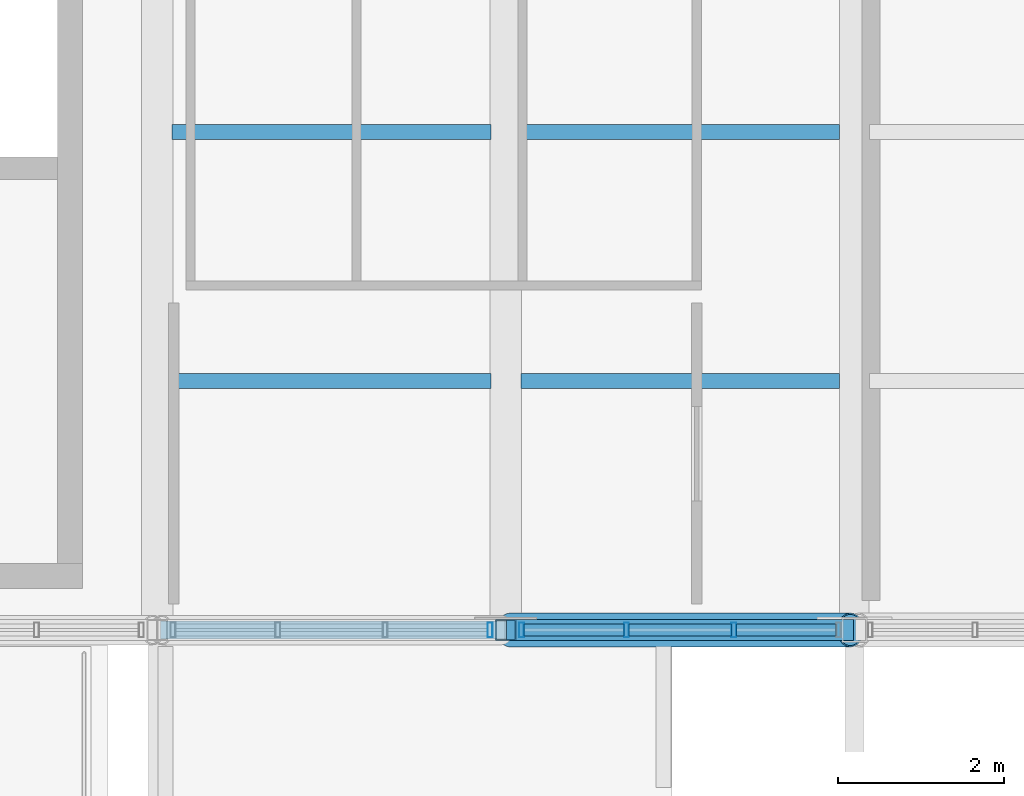
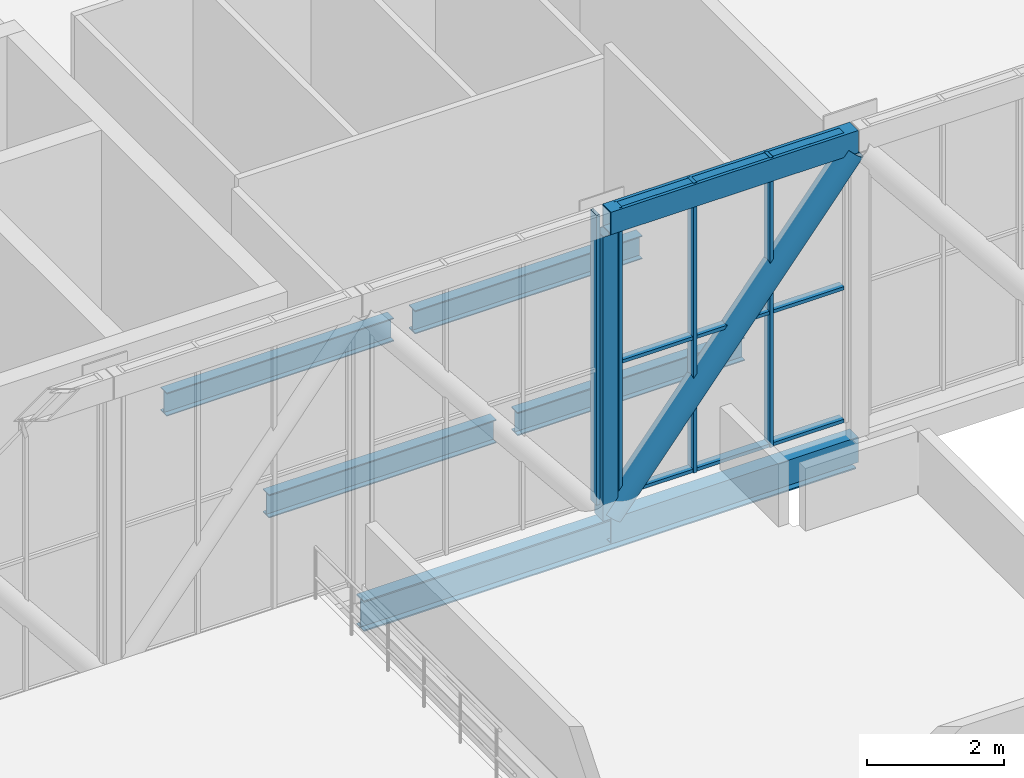
# One storey, part 30 of 58: 17 members, 5 beams, 2 elements without a shape of their own.
"""IFC4 building model written with IfcOpenShell, lengths in metres."""

from ifc_helpers import new_model, si_unit, direction, frame, origin, origin_2d, place, context, subcontext, project, spatial, hollow_rectangle, hollow_circle, i_section, extrude, material, material_profile, profile_set, type_object, element, aggregate, save


model = new_model("IFC4")

# Units and contexts
model_context = context("Model", 3, precision=1e-05, world=origin(), true_north=direction((0.0, 1.0)))
body_context = subcontext(model_context, "Body", "Model", "MODEL_VIEW")
ifc_project = project(units=[si_unit("LENGTHUNIT", "METRE"), si_unit("AREAUNIT", "SQUARE_METRE"), si_unit("VOLUMEUNIT", "CUBIC_METRE"), si_unit("PLANEANGLEUNIT", "RADIAN"), si_unit("MASSUNIT", "GRAM", prefix="KILO")], contexts=[model_context])

# Site, building, storey
site_placement = place(None, origin())
site = spatial("IfcSite", under=ifc_project, at=site_placement, CompositionType="ELEMENT")
building_placement = place(site_placement, origin())
building = spatial("IfcBuilding", under=site, at=building_placement, Name="Khurvash Pelagic Aquarium", CompositionType="ELEMENT")
storey_placement = place(building_placement, frame((0.0, 0.0, 24.60009765625)))
storey = spatial("IfcBuildingStorey", under=building, at=storey_placement, Name="L05", CompositionType="ELEMENT", Elevation=24.60009765625)

# Beam
ifc_material_1 = material(Name="Steel ASTM A992 Grade 50", Category="steel")
ifc_material_profile_1 = material_profile(ifc_material_1, i_section(OverallWidth=0.214111328125, OverallDepth=0.549072265625, WebThickness=0.0146484375, FlangeThickness=0.023681640625, at=origin_2d()), Name="W21X93")
ifc_profile_set_1 = profile_set([ifc_material_profile_1], Name="Steel ASTM A992 Grade 50")
beam_type_1 = type_object("IfcBeamType", Name="BM-11", PredefinedType="BEAM", material=ifc_profile_set_1)
beam_placement = place(storey_placement, frame((100.840087890625, 11.64990234375, -0.594482421875), z_axis=(1.0, 0.0, 0.0), x_axis=(0.0, 1.0, 0.0)))
element("IfcBeam", 1, at=beam_placement, inside=storey, type_object=beam_type_1, Name="L05 Roof Girder BM-11 01259", PredefinedType="BEAM", context=body_context, shape_type="SweptSolid", body=[
    extrude(i_section(OverallWidth=0.214111328125, OverallDepth=0.549072265625, WebThickness=0.0146484375, FlangeThickness=0.023681640625, at=origin_2d()), origin(), (0.0, 0.0, 1.0), 8.31982421875),
])

# Curtain wall, member
ifc_material_2 = material(Name="Anodised aluminium and low-E laminated glass", Category="aluminium")
curtain_wall_type = type_object("IfcCurtainWallType", Name="CW-01", PredefinedType="USERDEFINED", material=ifc_material_2)
curtain_wall_1_placement = place(storey_placement, origin())
curtain_wall_1 = element("IfcCurtainWall", 2, at=curtain_wall_1_placement, inside=storey, type_object=curtain_wall_type, Name="L05 South Sky-Bar Unitised Curtain Wall CW-01 P22", ObjectType="UNITISED CURTAIN WALL", PredefinedType="USERDEFINED")
ifc_material_3 = material(Name="Extruded aluminium AW-6063-T6", Category="aluminium")
ifc_material_profile_2 = material_profile(ifc_material_3, hollow_rectangle(XDim=0.06005859375, YDim=0.179931640625, WallThickness=0.00390625, at=origin_2d()), Name="CWM60X180X4")
ifc_profile_set_2 = profile_set([ifc_material_profile_2], Name="Extruded aluminium AW-6063-T6")
member_type_1 = type_object("IfcMemberType", Name="CM-01", PredefinedType="MULLION", material=ifc_profile_set_2)
member_1_placement = place(storey_placement, frame((104.81005859375, 11.64990234375, 0.0), z_axis=(0.0, 0.0, 1.0), x_axis=(1.0, 0.0, 0.0)))
member_1 = element("IfcMember", 3, at=member_1_placement, type_object=member_type_1, Name="CW-01 mullion 4", PredefinedType="MULLION", context=body_context, shape_type="SweptSolid", body=[
    extrude(hollow_rectangle(XDim=0.06005859375, YDim=0.179931640625, WallThickness=0.00390625, at=origin_2d()), origin(), (0.0, 0.0, 1.0), 5.179931640625),
])
aggregate(curtain_wall_1, [member_1])

# Curtain wall, members
curtain_wall_2_placement = place(storey_placement, origin())
curtain_wall_2 = element("IfcCurtainWall", 4, at=curtain_wall_2_placement, inside=storey, type_object=curtain_wall_type, Name="L05 South Sky-Bar Unitised Curtain Wall CW-01 P23", ObjectType="UNITISED CURTAIN WALL", PredefinedType="USERDEFINED")
member_2_placement = place(storey_placement, frame((105.18994140625, 11.64990234375, 0.0), z_axis=(0.0, 0.0, 1.0), x_axis=(1.0, 0.0, 0.0)))
member_2 = element("IfcMember", 5, at=member_2_placement, type_object=member_type_1, Name="CW-01 mullion 1", PredefinedType="MULLION", context=body_context, shape_type="SweptSolid", body=[
    extrude(hollow_rectangle(XDim=0.06005859375, YDim=0.179931640625, WallThickness=0.00390625, at=origin_2d()), origin(), (0.0, 0.0, 1.0), 5.179931640625),
])
member_3_placement = place(storey_placement, frame((106.453369140625, 11.64990234375, 0.0), z_axis=(0.0, 0.0, 1.0), x_axis=(1.0, 0.0, 0.0)))
member_3 = element("IfcMember", 6, at=member_3_placement, type_object=member_type_1, Name="CW-01 mullion 2", PredefinedType="MULLION", context=body_context, shape_type="SweptSolid", body=[
    extrude(hollow_rectangle(XDim=0.06005859375, YDim=0.179931640625, WallThickness=0.00390625, at=origin_2d()), origin(), (0.0, 0.0, 1.0), 5.179931640625),
])
member_4_placement = place(storey_placement, frame((107.74658203125, 11.64990234375, 0.0), z_axis=(0.0, 0.0, 1.0), x_axis=(1.0, 0.0, 0.0)))
member_4 = element("IfcMember", 7, at=member_4_placement, type_object=member_type_1, Name="CW-01 mullion 3", PredefinedType="MULLION", context=body_context, shape_type="SweptSolid", body=[
    extrude(hollow_rectangle(XDim=0.06005859375, YDim=0.179931640625, WallThickness=0.00390625, at=origin_2d()), origin(), (0.0, 0.0, 1.0), 5.179931640625),
])
ifc_material_profile_3 = material_profile(ifc_material_3, hollow_rectangle(XDim=0.139892578125, YDim=0.06005859375, WallThickness=0.00390625, at=origin_2d()), Name="CWT140X60X4")
ifc_profile_set_3 = profile_set([ifc_material_profile_3], Name="Extruded aluminium AW-6063-T6")
member_type_2 = type_object("IfcMemberType", Name="CT-01", PredefinedType="USERDEFINED", material=ifc_profile_set_3)
member_5_placement = place(storey_placement, frame((105.219970703125, 11.64990234375, 0.02978515625), z_axis=(1.0, 0.0, 0.0), x_axis=(0.0, 1.0, 0.0)))
member_5 = element("IfcMember", 8, at=member_5_placement, type_object=member_type_2, Name="CW-01 transom 1.1", ObjectType="TRANSOM", PredefinedType="USERDEFINED", context=body_context, shape_type="SweptSolid", body=[
    extrude(hollow_rectangle(XDim=0.139892578125, YDim=0.06005859375, WallThickness=0.00390625, at=origin_2d()), origin(), (0.0, 0.0, 1.0), 1.203369140625),
])
member_6_placement = place(storey_placement, frame((105.219970703125, 11.64990234375, 2.39990234375), z_axis=(1.0, 0.0, 0.0), x_axis=(0.0, 1.0, 0.0)))
member_6 = element("IfcMember", 9, at=member_6_placement, type_object=member_type_2, Name="CW-01 transom 1.2", ObjectType="TRANSOM", PredefinedType="USERDEFINED", context=body_context, shape_type="SweptSolid", body=[
    extrude(hollow_rectangle(XDim=0.139892578125, YDim=0.06005859375, WallThickness=0.00390625, at=origin_2d()), origin(), (0.0, 0.0, 1.0), 1.203369140625),
])
member_7_placement = place(storey_placement, frame((105.219970703125, 11.64990234375, 5.14990234375), z_axis=(1.0, 0.0, 0.0), x_axis=(0.0, 1.0, 0.0)))
member_7 = element("IfcMember", 10, at=member_7_placement, type_object=member_type_2, Name="CW-01 transom 1.3", ObjectType="TRANSOM", PredefinedType="USERDEFINED", context=body_context, shape_type="SweptSolid", body=[
    extrude(hollow_rectangle(XDim=0.139892578125, YDim=0.06005859375, WallThickness=0.00390625, at=origin_2d()), origin(), (0.0, 0.0, 1.0), 1.203369140625),
])
member_8_placement = place(storey_placement, frame((106.4833984375, 11.64990234375, 0.02978515625), z_axis=(1.0, 0.0, 0.0), x_axis=(0.0, 1.0, 0.0)))
member_8 = element("IfcMember", 11, at=member_8_placement, type_object=member_type_2, Name="CW-01 transom 2.1", ObjectType="TRANSOM", PredefinedType="USERDEFINED", context=body_context, shape_type="SweptSolid", body=[
    extrude(hollow_rectangle(XDim=0.139892578125, YDim=0.06005859375, WallThickness=0.00390625, at=origin_2d()), origin(), (0.0, 0.0, 1.0), 1.233154296875),
])
member_9_placement = place(storey_placement, frame((106.4833984375, 11.64990234375, 2.39990234375), z_axis=(1.0, 0.0, 0.0), x_axis=(0.0, 1.0, 0.0)))
member_9 = element("IfcMember", 12, at=member_9_placement, type_object=member_type_2, Name="CW-01 transom 2.2", ObjectType="TRANSOM", PredefinedType="USERDEFINED", context=body_context, shape_type="SweptSolid", body=[
    extrude(hollow_rectangle(XDim=0.139892578125, YDim=0.06005859375, WallThickness=0.00390625, at=origin_2d()), origin(), (0.0, 0.0, 1.0), 1.233154296875),
])
member_10_placement = place(storey_placement, frame((106.4833984375, 11.64990234375, 5.14990234375), z_axis=(1.0, 0.0, 0.0), x_axis=(0.0, 1.0, 0.0)))
member_10 = element("IfcMember", 13, at=member_10_placement, type_object=member_type_2, Name="CW-01 transom 2.3", ObjectType="TRANSOM", PredefinedType="USERDEFINED", context=body_context, shape_type="SweptSolid", body=[
    extrude(hollow_rectangle(XDim=0.139892578125, YDim=0.06005859375, WallThickness=0.00390625, at=origin_2d()), origin(), (0.0, 0.0, 1.0), 1.233154296875),
])
member_11_placement = place(storey_placement, frame((107.776611328125, 11.64990234375, 0.02978515625), z_axis=(1.0, 0.0, 0.0), x_axis=(0.0, 1.0, 0.0)))
member_11 = element("IfcMember", 14, at=member_11_placement, type_object=member_type_2, Name="CW-01 transom 3.1", ObjectType="TRANSOM", PredefinedType="USERDEFINED", context=body_context, shape_type="SweptSolid", body=[
    extrude(hollow_rectangle(XDim=0.139892578125, YDim=0.06005859375, WallThickness=0.00390625, at=origin_2d()), origin(), (0.0, 0.0, 1.0), 1.203369140625),
])
member_12_placement = place(storey_placement, frame((107.776611328125, 11.64990234375, 2.39990234375), z_axis=(1.0, 0.0, 0.0), x_axis=(0.0, 1.0, 0.0)))
member_12 = element("IfcMember", 15, at=member_12_placement, type_object=member_type_2, Name="CW-01 transom 3.2", ObjectType="TRANSOM", PredefinedType="USERDEFINED", context=body_context, shape_type="SweptSolid", body=[
    extrude(hollow_rectangle(XDim=0.139892578125, YDim=0.06005859375, WallThickness=0.00390625, at=origin_2d()), origin(), (0.0, 0.0, 1.0), 1.203369140625),
])
member_13_placement = place(storey_placement, frame((107.776611328125, 11.64990234375, 5.14990234375), z_axis=(1.0, 0.0, 0.0), x_axis=(0.0, 1.0, 0.0)))
member_13 = element("IfcMember", 16, at=member_13_placement, type_object=member_type_2, Name="CW-01 transom 3.3", ObjectType="TRANSOM", PredefinedType="USERDEFINED", context=body_context, shape_type="SweptSolid", body=[
    extrude(hollow_rectangle(XDim=0.139892578125, YDim=0.06005859375, WallThickness=0.00390625, at=origin_2d()), origin(), (0.0, 0.0, 1.0), 1.203369140625),
])
aggregate(curtain_wall_2, [member_2, member_3, member_4, member_5, member_6, member_7, member_8, member_9, member_10, member_11, member_12, member_13])

# Beams
ifc_material_profile_4 = material_profile(ifc_material_1, i_section(OverallWidth=0.180908203125, OverallDepth=0.4169921875, WebThickness=0.010986328125, FlangeThickness=0.018310546875, at=origin_2d()), Name="W16X57")
ifc_profile_set_4 = profile_set([ifc_material_profile_4], Name="Steel ASTM A992 Grade 50")
beam_type_2 = type_object("IfcBeamType", Name="JS-03", PredefinedType="JOIST", material=ifc_profile_set_4)
for number, where, z_axis, x_axis, name in (
    (17, (100.97998046875, 14.64990234375, -0.508544921875), (1.0, 0.0, 0.0), (0.0, 1.0, 0.0), "L05 Sky-Bar Floor Joist JS-03 P22"),
    (18, (100.97998046875, 17.64990234375, -0.508544921875), (1.0, 0.0, 0.0), (0.0, 1.0, 0.0), "L05 Sky-Bar Floor Joist JS-03 P22"),
    (19, (105.179931640625, 14.64990234375, -0.508544921875), (1.0, 0.0, 0.0), (0.0, 1.0, 0.0), "L05 Sky-Bar Floor Joist JS-03 P23"),
    (20, (105.179931640625, 17.64990234375, -0.508544921875), (1.0, 0.0, 0.0), (0.0, 1.0, 0.0), "L05 Sky-Bar Floor Joist JS-03 P23"),
):
    element("IfcBeam", number, at=place(storey_placement, frame(where, z_axis=z_axis, x_axis=x_axis)), inside=storey, type_object=beam_type_2, Name=name, PredefinedType="JOIST", context=body_context, shape_type="SweptSolid", body=[
        extrude(i_section(OverallWidth=0.180908203125, OverallDepth=0.4169921875, WebThickness=0.010986328125, FlangeThickness=0.018310546875, at=origin_2d()), origin(), (0.0, 0.0, 1.0), 3.840087890625),
    ])

# Members
ifc_material_4 = material(Name="Steel S355J2", Category="steel")
ifc_material_profile_5 = material_profile(ifc_material_4, hollow_rectangle(XDim=0.25, YDim=0.449951171875, WallThickness=0.02001953125, at=origin_2d()), Name="RHS450X250X20")
ifc_profile_set_5 = profile_set([ifc_material_profile_5], Name="Steel S355J2")
member_type_3 = type_object("IfcMemberType", Name="TC-01", PredefinedType="CHORD", material=ifc_profile_set_5)
member_14_placement = place(storey_placement, frame((105.010009765625, 11.64990234375, -0.525146484375), z_axis=(1.0, 0.0, 0.0), x_axis=(0.0, 1.0, 0.0)))
element("IfcMember", 21, at=member_14_placement, inside=storey, type_object=member_type_3, Name="L05 South Sky-Bar Warren Truss Bottom Chord TC-01 P23", PredefinedType="CHORD", context=body_context, shape_type="SweptSolid", body=[
    extrude(hollow_rectangle(XDim=0.25, YDim=0.449951171875, WallThickness=0.02001953125, at=origin_2d()), origin(), (0.0, 0.0, 1.0), 4.179931640625),
])
ifc_material_profile_6 = material_profile(ifc_material_4, hollow_rectangle(XDim=0.25, YDim=0.39990234375, WallThickness=0.01611328125, at=origin_2d()), Name="RHS400X250X16")
ifc_profile_set_6 = profile_set([ifc_material_profile_6], Name="Steel S355J2")
member_type_4 = type_object("IfcMemberType", Name="TC-02", PredefinedType="CHORD", material=ifc_profile_set_6)
member_15_placement = place(storey_placement, frame((105.010009765625, 11.64990234375, 4.97998046875), z_axis=(1.0, 0.0, 0.0), x_axis=(0.0, 1.0, 0.0)))
element("IfcMember", 22, at=member_15_placement, inside=storey, type_object=member_type_4, Name="L05 South Sky-Bar Warren Truss Top Chord TC-02 P23", PredefinedType="CHORD", context=body_context, shape_type="SweptSolid", body=[
    extrude(hollow_rectangle(XDim=0.25, YDim=0.39990234375, WallThickness=0.01611328125, at=origin_2d()), origin(), (0.0, 0.0, 1.0), 4.179931640625),
])
ifc_material_profile_7 = material_profile(ifc_material_4, hollow_circle(Radius=0.203125, WallThickness=0.01611328125, at=origin_2d()), Name="CHS406X16")
ifc_profile_set_7 = profile_set([ifc_material_profile_7], Name="Steel S355J2")
member_type_5 = type_object("IfcMemberType", Name="TD-01", PredefinedType="BRACE", material=ifc_profile_set_7)
member_16_placement = place(storey_placement, frame((105.050048828125, 11.64990234375, -0.300048828125), z_axis=(0.628050658275, 0.0, 0.778172455591), x_axis=(0.0, 1.0, 0.0)))
element("IfcMember", 23, at=member_16_placement, inside=storey, type_object=member_type_5, Name="L05 South Sky-Bar Warren Truss Diagonal TD-01 P23", PredefinedType="BRACE", context=body_context, shape_type="SweptSolid", body=[
    extrude(hollow_circle(Radius=0.203125, WallThickness=0.01611328125, at=origin_2d()), origin(), (0.0, 0.0, 1.0), 6.52783203125),
])
ifc_material_profile_8 = material_profile(ifc_material_4, hollow_rectangle(XDim=0.25, YDim=0.25, WallThickness=0.012451171875, at=origin_2d()), Name="SHS250X250X12")
ifc_profile_set_8 = profile_set([ifc_material_profile_8], Name="Steel S355J2")
member_type_6 = type_object("IfcMemberType", Name="TV-02", PredefinedType="POST", material=ifc_profile_set_8)
member_17_placement = place(storey_placement, frame((105.0, 11.64990234375, -0.300048828125), z_axis=(0.0, 0.0, 1.0), x_axis=(1.0, 0.0, 0.0)))
element("IfcMember", 24, at=member_17_placement, inside=storey, type_object=member_type_6, Name="L05 South Sky-Bar Truss Post TV-02 N23", PredefinedType="POST", context=body_context, shape_type="SweptSolid", body=[
    extrude(hollow_rectangle(XDim=0.25, YDim=0.25, WallThickness=0.012451171875, at=origin_2d()), origin(), (0.0, 0.0, 1.0), 5.079833984375),
])

save(model, "model.ifc")
